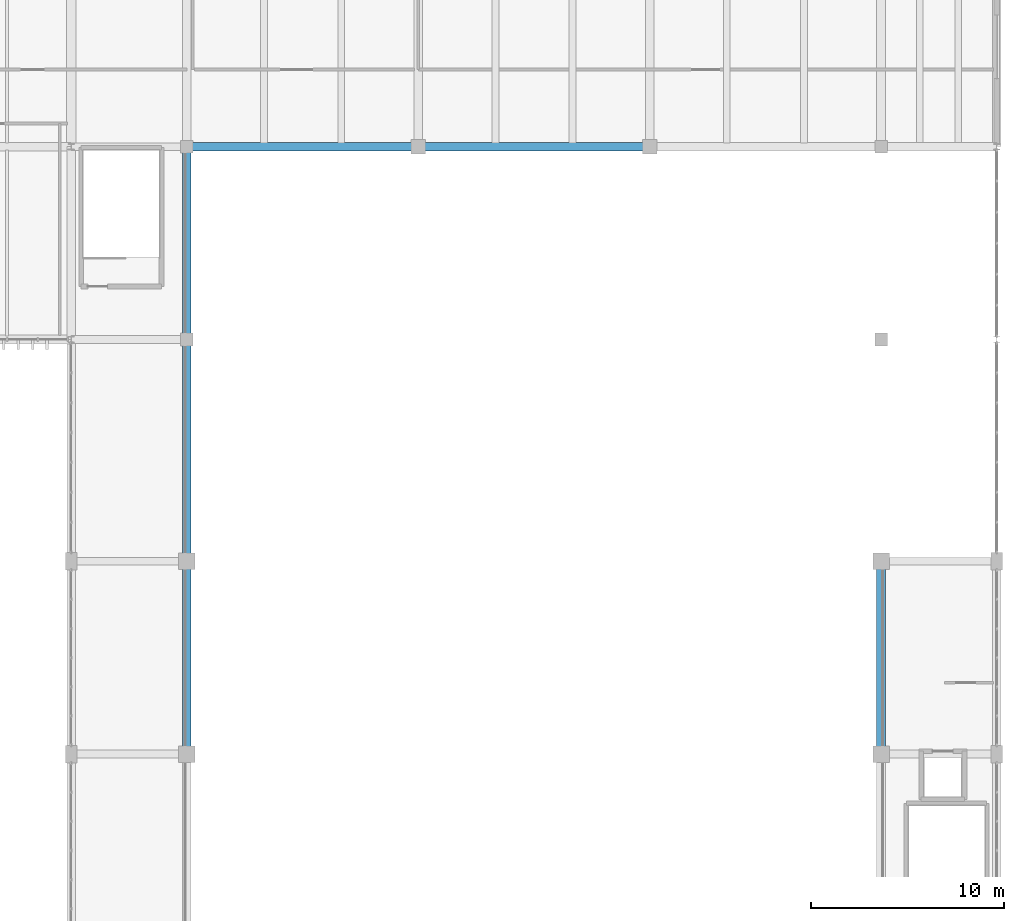
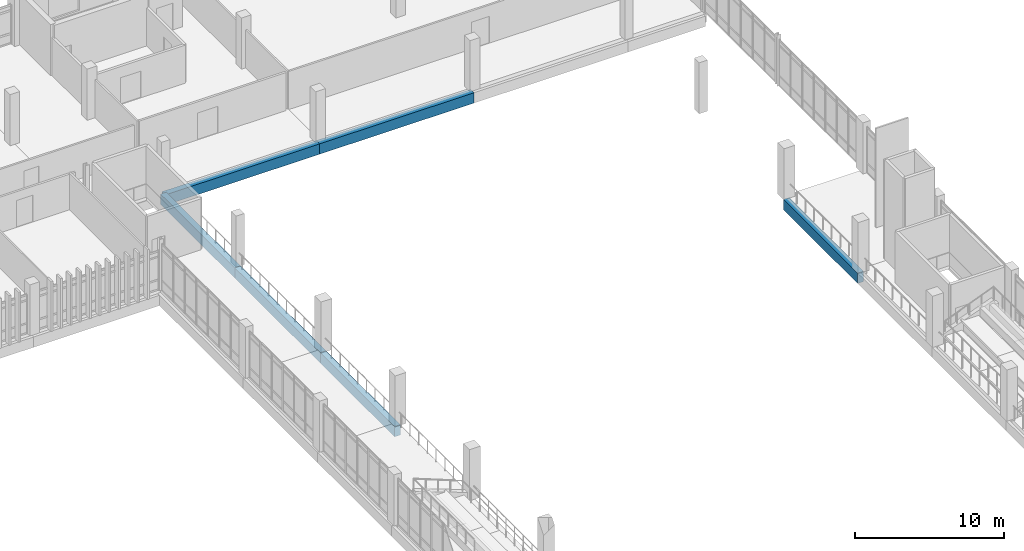
# One storey, part 111 of 161: 6 beams.
"""IFC4 building model written with IfcOpenShell, lengths in metres."""

from ifc_helpers import new_model, si_unit, direction, frame, origin, origin_2d, place, context, subcontext, project, spatial, rectangle, extrude, material, material_profile, profile_set, type_object, element, save


model = new_model("IFC4")

# Units and contexts
model_context = context("Model", 3, precision=1e-05, world=origin(), true_north=direction((0.0, 1.0)))
body_context = subcontext(model_context, "Body", "Model", "MODEL_VIEW")
ifc_project = project(units=[si_unit("LENGTHUNIT", "METRE"), si_unit("AREAUNIT", "SQUARE_METRE"), si_unit("VOLUMEUNIT", "CUBIC_METRE"), si_unit("PLANEANGLEUNIT", "RADIAN"), si_unit("MASSUNIT", "GRAM", prefix="KILO")], contexts=[model_context])

# Site, building, storey
site_placement = place(None, origin())
site = spatial("IfcSite", under=ifc_project, at=site_placement, CompositionType="ELEMENT")
building_placement = place(site_placement, origin())
building = spatial("IfcBuilding", under=site, at=building_placement, Name="Mersad Railyard Sports Hall", CompositionType="ELEMENT")
storey_placement = place(building_placement, frame((0.0, 0.0, 4.800048828125)))
storey = spatial("IfcBuildingStorey", under=building, at=storey_placement, Name="L01", CompositionType="ELEMENT", Elevation=4.800048828125)

# Beams
ifc_material = material(Name="Concrete C40/50", Category="concrete")
ifc_material_profile = material_profile(ifc_material, rectangle(XDim=0.449951171875, YDim=0.85009765625, at=origin_2d()), Name="RC 450x850")
ifc_profile_set = profile_set([ifc_material_profile], Name="Concrete C40/50")
beam_type = type_object("IfcBeamType", Name="STR-BM-B02", PredefinedType="BEAM", material=ifc_profile_set)
for number, where, z_axis, x_axis, name in (
    (1, (137.0, 63.5, -0.705078125), (0.0, 1.0, 0.0), (-1.0, 0.0, 0.0), "Beam B02-0641"),
    (2, (173.0, 63.5, -0.705078125), (0.0, 1.0, 0.0), (-1.0, 0.0, 0.0), "Beam B02-0653"),
):
    element("IfcBeam", number, at=place(storey_placement, frame(where, z_axis=z_axis, x_axis=x_axis)), inside=storey, type_object=beam_type, Name=name, PredefinedType="BEAM", context=body_context, shape_type="SweptSolid", body=[
        extrude(rectangle(XDim=0.449951171875, YDim=0.85009765625, at=origin_2d()), origin(), (0.0, 0.0, 1.0), 10.0),
    ])
beam_1_placement = place(storey_placement, frame((137.0, 73.5, -0.705078125), z_axis=(0.0, 1.0, 0.0), x_axis=(-1.0, 0.0, 0.0)))
element("IfcBeam", 3, at=beam_1_placement, inside=storey, type_object=beam_type, Name="Beam B02-0905", PredefinedType="BEAM", context=body_context, shape_type="SweptSolid", body=[
    extrude(rectangle(XDim=0.449951171875, YDim=0.85009765625, at=origin_2d()), origin(), (0.0, 0.0, 1.0), 11.5),
])
beam_2_placement = place(storey_placement, frame((137.0, 85.0, -0.705078125), z_axis=(0.0, 1.0, 0.0), x_axis=(-1.0, 0.0, 0.0)))
element("IfcBeam", 4, at=beam_2_placement, inside=storey, type_object=beam_type, Name="Beam B02-0906", PredefinedType="BEAM", context=body_context, shape_type="SweptSolid", body=[
    extrude(rectangle(XDim=0.449951171875, YDim=0.85009765625, at=origin_2d()), origin(), (0.0, 0.0, 1.0), 10.0),
])
for number, where, z_axis, x_axis, name in (
    (5, (137.0, 95.0, -0.72509765625), (1.0, 0.0, 0.0), (0.0, 1.0, 0.0), "Beam B02-0982"),
    (6, (149.0, 95.0, -0.72509765625), (1.0, 0.0, 0.0), (0.0, 1.0, 0.0), "Beam B02-0983"),
):
    element("IfcBeam", number, at=place(storey_placement, frame(where, z_axis=z_axis, x_axis=x_axis)), inside=storey, type_object=beam_type, Name=name, PredefinedType="BEAM", context=body_context, shape_type="SweptSolid", body=[
        extrude(rectangle(XDim=0.449951171875, YDim=0.85009765625, at=origin_2d()), origin(), (0.0, 0.0, 1.0), 12.0),
    ])

save(model, "model.ifc")
